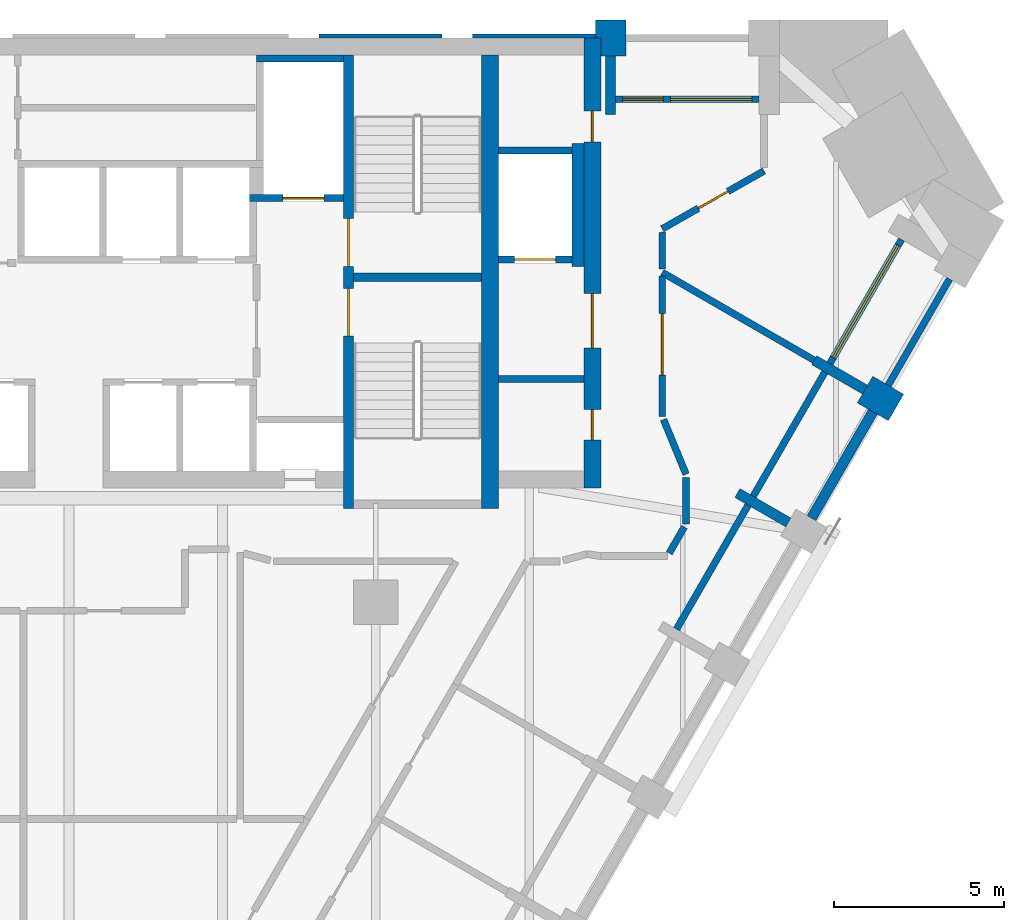
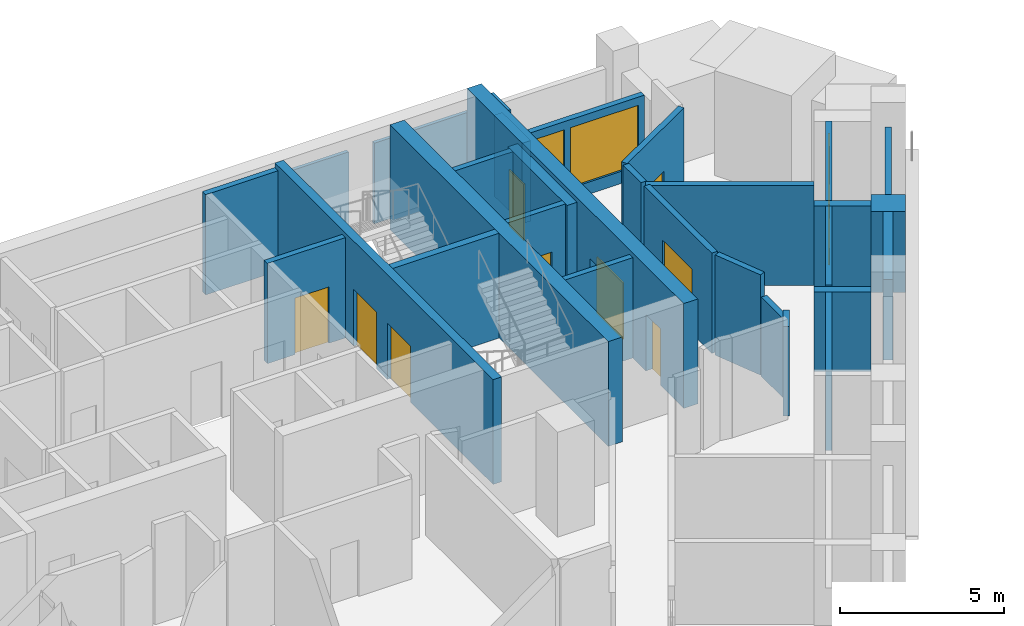
# One storey, part 7 of 9: 30 walls, 10 doors, 2 windows, 12 openings.
"""IFC4 building model written with IfcOpenShell, lengths in metres."""

from ifc_helpers import new_model, si_unit, direction, frame, frame_2d, origin, place, context, subcontext, project, spatial, polyline, rectangle, outline, extrude, material, layer, layer_set, type_object, element, fill, save


model = new_model("IFC4")

# Units and contexts
model_context = context("Model", 3, precision=1e-05, world=origin(), true_north=direction((0.0, 1.0)))
body_context = subcontext(model_context, "Body", "Model", "MODEL_VIEW")
ifc_project = project(units=[si_unit("LENGTHUNIT", "METRE"), si_unit("AREAUNIT", "SQUARE_METRE"), si_unit("VOLUMEUNIT", "CUBIC_METRE"), si_unit("PLANEANGLEUNIT", "RADIAN"), si_unit("MASSUNIT", "GRAM", prefix="KILO")], contexts=[model_context])

# Site, building, storey
site_placement = place(None, origin())
site = spatial("IfcSite", under=ifc_project, at=site_placement, CompositionType="ELEMENT")
building_placement = place(site_placement, origin())
building = spatial("IfcBuilding", under=site, at=building_placement, Name="Calabash Gate Tower", CompositionType="ELEMENT")
storey_placement = place(building_placement, frame((0.0, 0.0, 160.199951171875)))
storey = spatial("IfcBuildingStorey", under=building, at=storey_placement, Name="L37", CompositionType="ELEMENT", Elevation=160.199951171875)

# Walls
ifc_material_1 = material(Name="Terracotta brick masonry, exposed face", Category="masonry")
ifc_layer_1 = layer(ifc_material_1, 1.050048828125)
ifc_layer_set_1 = layer_set([ifc_layer_1], Name="Brick end wall 1050")
wall_type_1 = type_object("IfcWallType", Name="Brick end wall 1050", PredefinedType="SOLIDWALL", material=ifc_layer_set_1)
wall_1_placement = place(storey_placement, frame((24.2587890625, 8.2119140625, 0.0), z_axis=(0.0, 0.0, 1.0), x_axis=(-0.86592997719, 0.500165247297, 0.0)))
element("IfcWall", 1, at=wall_1_placement, inside=storey, type_object=wall_type_1, Name="Brick pier S10 SE4.7", PredefinedType="SOLIDWALL", context=body_context, shape_type="SweptSolid", body=[
    extrude(rectangle(XDim=1.050048828125, YDim=0.89990234375, at=frame_2d((0.52490234375, 0.0))), origin(), (0.0, 0.0, 1.0), 3.0),
])
wall_2_placement = place(storey_placement, origin())
element("IfcWall", 2, at=wall_2_placement, inside=storey, type_object=wall_type_1, Name="Brick pier S10 N6.1", PredefinedType="SOLIDWALL", context=body_context, shape_type="SweptSolid", body=[
    extrude(outline(polyline([(16.33740234375, 18.527587890625), (16.33740234375, 19.57763671875), (15.4375, 19.57763671875), (15.4375, 19.052490234375), (15.60009765625, 19.052490234375), (15.60009765625, 18.527587890625), (16.33740234375, 18.527587890625)])), origin(), (0.0, 0.0, 1.0), 3.0),
])
ifc_material_2 = material(Name="Terracotta brick masonry, exposed face", Category="masonry")
ifc_layer_2 = layer(ifc_material_2, 0.300048828125)
ifc_layer_set_2 = layer_set([ifc_layer_2], Name="Brick infill panel wall 300")
wall_type_2 = type_object("IfcWallType", Name="Brick infill panel wall 300", PredefinedType="SOLIDWALL", material=ifc_layer_set_2)
wall_3_placement = place(storey_placement, frame((21.779296875, 4.967041015625, 0.0), z_axis=(0.0, 0.0, 1.0), x_axis=(0.500012057535, 0.866018442252, 0.0)))
element("IfcWall", 3, at=wall_3_placement, inside=storey, type_object=wall_type_2, Name="Brick panel S10 SE4.7", PredefinedType="SOLIDWALL", context=body_context, shape_type="SweptSolid", body=[
    extrude(rectangle(XDim=3.60009765625, YDim=0.300048828125, at=frame_2d((1.800048828125, 0.0))), origin(), (0.0, 0.0, 1.0), 3.0),
])
ifc_material_3 = material(Name="Terracotta brick masonry, exposed face", Category="masonry")
ifc_layer_3 = layer(ifc_material_3, 0.300048828125)
ifc_layer_set_3 = layer_set([ifc_layer_3], Name="Brick loggia cheek wall 300")
wall_type_3 = type_object("IfcWallType", Name="Brick loggia cheek wall 300", PredefinedType="SOLIDWALL", material=ifc_layer_set_3)
wall_4_placement = place(storey_placement, frame((21.099609375, 4.83984375, 0.0), z_axis=(0.0, 0.0, 1.0), x_axis=(-0.866013532718, 0.500020560727, 0.0)))
element("IfcWall", 4, at=wall_4_placement, inside=storey, type_object=wall_type_3, Name="Loggia cheek S10 SE4.6", PredefinedType="SOLIDWALL", context=body_context, shape_type="SweptSolid", body=[
    extrude(rectangle(XDim=1.72509765625, YDim=0.300048828125, at=frame_2d((0.862548828125, 0.0))), origin(), (0.0, 0.0, 1.0), 2.9501953125),
])
wall_5_placement = place(storey_placement, frame((23.349609375, 8.737060546875, 0.0), z_axis=(0.0, 0.0, 1.0), x_axis=(-0.866013532718, 0.500020560727, 0.0)))
element("IfcWall", 5, at=wall_5_placement, inside=storey, type_object=wall_type_3, Name="Loggia cheek S10 SE4.7", PredefinedType="SOLIDWALL", context=body_context, shape_type="SweptSolid", body=[
    extrude(rectangle(XDim=1.72509765625, YDim=0.300048828125, at=frame_2d((0.862548828125, 0.0))), origin(), (0.0, 0.0, 1.0), 3.0),
])
wall_6_placement = place(storey_placement, origin())
element("IfcWall", 6, at=wall_6_placement, inside=storey, type_object=wall_type_3, Name="Loggia cheek S10 N6.1", PredefinedType="SOLIDWALL", context=body_context, shape_type="SweptSolid", body=[
    extrude(outline(polyline([(15.737548828125, 18.527587890625), (15.737548828125, 16.802490234375), (16.037353515625, 16.802490234375), (16.037353515625, 18.527587890625), (15.737548828125, 18.527587890625)])), origin(), (0.0, 0.0, 1.0), 3.0),
])
ifc_material_4 = material(Name="Gypsum board on steel studs, mineral wool", Category="steel")
ifc_layer_4 = layer(ifc_material_4, 0.199951171875)
ifc_layer_set_4 = layer_set([ifc_layer_4], Name="Core partition 200 gypsum board")
wall_type_4 = type_object("IfcWallType", Name="Core partition 200 gypsum board", PredefinedType="PARTITIONING", material=ifc_layer_set_4)
wall_7_placement = place(storey_placement, frame((12.60009765625, 9.052490234375, 0.0), z_axis=(0.0, 0.0, 1.0), x_axis=(1.0, 0.0, 0.0)))
element("IfcWall", 7, at=wall_7_placement, inside=storey, type_object=wall_type_4, Name="Core partition", PredefinedType="PARTITIONING", context=body_context, shape_type="SweptSolid", body=[
    extrude(rectangle(XDim=2.5, YDim=0.199951171875, at=frame_2d((1.25, 0.0))), origin(), (0.0, 0.0, 1.0), 3.72998046875),
])
ifc_material_5 = material(Name="Concrete C70/85", Category="concrete")
ifc_layer_5 = layer(ifc_material_5, 0.25)
ifc_layer_set_5 = layer_set([ifc_layer_5], Name="Core wall 250 Concrete C70/85")
wall_type_5 = type_object("IfcWallType", Name="Core wall 250 Concrete C70/85", PredefinedType="SHEAR", material=ifc_layer_set_5)
wall_8_placement = place(storey_placement, frame((8.35009765625, 12.027587890625, 0.0), z_axis=(0.0, 0.0, 1.0), x_axis=(1.0, 0.0, 0.0)))
element("IfcWall", 8, at=wall_8_placement, inside=storey, type_object=wall_type_5, Name="Core wall Z3-MIDE L37", PredefinedType="SHEAR", context=body_context, shape_type="SweptSolid", body=[
    extrude(rectangle(XDim=3.75, YDim=0.25, at=frame_2d((1.875, 0.0))), origin(), (0.0, 0.0, 1.0), 3.900146484375),
])

# Wall, openings, doors
ifc_material_6 = material(Name="Concrete C70/85", Category="concrete")
ifc_layer_6 = layer(ifc_material_6, 0.300048828125)
ifc_layer_set_6 = layer_set([ifc_layer_6], Name="Core wall 300 Concrete C70/85")
wall_type_6 = type_object("IfcWallType", Name="Core wall 300 Concrete C70/85", PredefinedType="SHEAR", material=ifc_layer_set_6)
wall_9_placement = place(storey_placement, frame((8.199951171875, 5.252685546875, 0.0), z_axis=(0.0, 0.0, 1.0), x_axis=(0.0, 1.0, 0.0)))
wall_9 = element("IfcWall", 9, at=wall_9_placement, inside=storey, type_object=wall_type_6, Name="Core wall Z3-PARTE L37", PredefinedType="SHEAR", context=body_context, shape_type="SweptSolid", body=[
    extrude(rectangle(XDim=13.2998046875, YDim=0.300048828125, at=frame_2d((6.64990234375, 0.0))), origin(), (0.0, 0.0, 1.0), 3.900146484375),
])
opening_1_placement = place(wall_9_placement, frame((7.10009765625, 0.0, 0.0)))
opening_1 = element("IfcOpeningElement", 10, at=opening_1_placement, cuts=wall_9, Name="Opening O2-017", PredefinedType="OPENING", context=body_context, shape_type="SweptSolid", body=[
    extrude(rectangle(XDim=1.39990234375, YDim=2.10009765625, at=frame_2d((0.699951171875, 1.050048828125))), frame((0.0, 0.159912109375, 0.0), z_axis=(0.0, -1.0, 0.0), x_axis=(1.0, 0.0, 0.0)), (0.0, 0.0, 1.0), 0.320068359375),
])
opening_2_placement = place(wall_9_placement, frame((5.050048828125, 0.0, 0.0)))
opening_2 = element("IfcOpeningElement", 11, at=opening_2_placement, cuts=wall_9, Name="Opening O2-018", PredefinedType="OPENING", context=body_context, shape_type="SweptSolid", body=[
    extrude(rectangle(XDim=1.39990234375, YDim=2.10009765625, at=frame_2d((0.699951171875, 1.050048828125))), frame((0.0, 0.159912109375, 0.0), z_axis=(0.0, -1.0, 0.0), x_axis=(1.0, 0.0, 0.0)), (0.0, 0.0, 1.0), 0.320068359375),
])
ifc_material_7 = material(Name="Steel fire door set with fire-resisting glazing", Category="steel")
door_type_1 = type_object("IfcDoorType", Name="Fire door D05 1400x2100 FD90", OperationType="NOTDEFINED", PredefinedType="DOOR", material=ifc_material_7)
door_1_placement = place(opening_1_placement, origin())
door_1 = element("IfcDoor", 12, at=door_1_placement, inside=storey, type_object=door_type_1, Name="Exit stair door ST3", OperationType="SINGLE_SWING_RIGHT", OverallHeight=2.10009765625, OverallWidth=1.39990234375, PredefinedType="DOOR", context=body_context, shape_type="SweptSolid", body=[
    extrude(rectangle(XDim=1.39990234375, YDim=2.10009765625, at=frame_2d((0.699951171875, 1.050048828125))), frame((0.0, 0.02490234375, 0.0), z_axis=(0.0, -1.0, 0.0), x_axis=(1.0, 0.0, 0.0)), (0.0, 0.0, 1.0), 0.050048828125),
])
fill(opening_1, door_1)
door_2_placement = place(opening_2_placement, origin())
door_2 = element("IfcDoor", 13, at=door_2_placement, inside=storey, type_object=door_type_1, Name="Exit stair door ST4", OperationType="SINGLE_SWING_LEFT", OverallHeight=2.10009765625, OverallWidth=1.39990234375, PredefinedType="DOOR", context=body_context, shape_type="SweptSolid", body=[
    extrude(rectangle(XDim=1.39990234375, YDim=2.10009765625, at=frame_2d((0.699951171875, 1.050048828125))), frame((0.0, 0.02490234375, 0.0), z_axis=(0.0, -1.0, 0.0), x_axis=(1.0, 0.0, 0.0)), (0.0, 0.0, 1.0), 0.050048828125),
])
fill(opening_2, door_2)

# Wall
ifc_material_8 = material(Name="Concrete C70/85", Category="concrete")
ifc_layer_7 = layer(ifc_material_8, 0.5)
ifc_layer_set_7 = layer_set([ifc_layer_7], Name="Core wall 500 Concrete C70/85")
wall_type_7 = type_object("IfcWallType", Name="Core wall 500 Concrete C70/85", PredefinedType="SHEAR", material=ifc_layer_set_7)
wall_10_placement = place(storey_placement, frame((12.35009765625, 5.252685546875, 0.0), z_axis=(0.0, 0.0, 1.0), x_axis=(0.0, 1.0, 0.0)))
element("IfcWall", 14, at=wall_10_placement, inside=storey, type_object=wall_type_7, Name="Core wall Z3-COLE L37", PredefinedType="SHEAR", context=body_context, shape_type="SweptSolid", body=[
    extrude(rectangle(XDim=13.2998046875, YDim=0.5, at=frame_2d((6.64990234375, 0.0))), origin(), (0.0, 0.0, 1.0), 3.900146484375),
])

# Wall, openings, doors
wall_11_placement = place(storey_placement, frame((15.35009765625, 5.8525390625, 0.0), z_axis=(0.0, 0.0, 1.0), x_axis=(0.0, 1.0, 0.0)))
wall_11 = element("IfcWall", 15, at=wall_11_placement, inside=storey, type_object=wall_type_7, Name="Core wall Z3-ENDE L37", PredefinedType="SHEAR", context=body_context, shape_type="SweptSolid", body=[
    extrude(rectangle(XDim=13.199951171875, YDim=0.5, at=frame_2d((6.60009765625, 0.0))), origin(), (0.0, 0.0, 1.0), 3.900146484375),
])
opening_3_placement = place(wall_11_placement, frame((4.10009765625, 0.0, 0.0)))
opening_3 = element("IfcOpeningElement", 16, at=opening_3_placement, cuts=wall_11, Name="Opening O2-003", PredefinedType="OPENING", context=body_context, shape_type="SweptSolid", body=[
    extrude(rectangle(XDim=1.60009765625, YDim=2.10009765625, at=frame_2d((0.800048828125, 1.050048828125))), frame((0.0, 0.260009765625, 0.0), z_axis=(0.0, -1.0, 0.0), x_axis=(1.0, 0.0, 0.0)), (0.0, 0.0, 1.0), 0.52001953125),
])
opening_4_placement = place(wall_11_placement, frame((1.39990234375, 0.0, 0.0)))
opening_4 = element("IfcOpeningElement", 17, at=opening_4_placement, cuts=wall_11, Name="Opening O2-001", PredefinedType="OPENING", context=body_context, shape_type="SweptSolid", body=[
    extrude(rectangle(XDim=0.89990234375, YDim=2.10009765625, at=frame_2d((0.449951171875, 1.050048828125))), frame((0.0, 0.260009765625, 0.0), z_axis=(0.0, -1.0, 0.0), x_axis=(1.0, 0.0, 0.0)), (0.0, 0.0, 1.0), 0.52001953125),
])
opening_5_placement = place(wall_11_placement, frame((10.14990234375, 0.0, 0.0)))
opening_5 = element("IfcOpeningElement", 18, at=opening_5_placement, cuts=wall_11, Name="Opening O2-002", PredefinedType="OPENING", context=body_context, shape_type="SweptSolid", body=[
    extrude(rectangle(XDim=0.89990234375, YDim=2.10009765625, at=frame_2d((0.449951171875, 1.050048828125))), frame((0.0, 0.260009765625, 0.0), z_axis=(0.0, -1.0, 0.0), x_axis=(1.0, 0.0, 0.0)), (0.0, 0.0, 1.0), 0.52001953125),
])
ifc_material_9 = material(Name="Steel fire door set with fire-resisting glazing", Category="steel")
door_type_2 = type_object("IfcDoorType", Name="Double fire door D08 1600x2100 FD60", OperationType="DOUBLE_DOOR_SINGLE_SWING", PredefinedType="DOOR", material=ifc_material_9)
door_3_placement = place(opening_3_placement, origin())
door_3 = element("IfcDoor", 19, at=door_3_placement, inside=storey, type_object=door_type_2, Name="Service Lift Lobby E door", OperationType="DOUBLE_DOOR_SINGLE_SWING", OverallHeight=2.10009765625, OverallWidth=1.60009765625, PredefinedType="DOOR", context=body_context, shape_type="SweptSolid", body=[
    extrude(rectangle(XDim=1.60009765625, YDim=2.10009765625, at=frame_2d((0.800048828125, 1.050048828125))), frame((0.0, 0.02490234375, 0.0), z_axis=(0.0, -1.0, 0.0), x_axis=(1.0, 0.0, 0.0)), (0.0, 0.0, 1.0), 0.050048828125),
])
fill(opening_3, door_3)
ifc_material_10 = material(Name="Steel fire door set with fire-resisting glazing", Category="steel")
door_type_3 = type_object("IfcDoorType", Name="Fire door D06 900x2100 FD60", OperationType="NOTDEFINED", PredefinedType="DOOR", material=ifc_material_10)
door_4_placement = place(opening_4_placement, origin())
door_4 = element("IfcDoor", 20, at=door_4_placement, inside=storey, type_object=door_type_3, Name="Print Room door", OperationType="SINGLE_SWING_RIGHT", OverallHeight=2.10009765625, OverallWidth=0.89990234375, PredefinedType="DOOR", context=body_context, shape_type="SweptSolid", body=[
    extrude(rectangle(XDim=0.89990234375, YDim=2.10009765625, at=frame_2d((0.449951171875, 1.050048828125))), frame((0.0, 0.02490234375, 0.0), z_axis=(0.0, -1.0, 0.0), x_axis=(1.0, 0.0, 0.0)), (0.0, 0.0, 1.0), 0.050048828125),
])
fill(opening_4, door_4)
door_5_placement = place(opening_5_placement, origin())
door_5 = element("IfcDoor", 21, at=door_5_placement, inside=storey, type_object=door_type_3, Name="Men's WC door", OperationType="SINGLE_SWING_LEFT", OverallHeight=2.10009765625, OverallWidth=0.89990234375, PredefinedType="DOOR", context=body_context, shape_type="SweptSolid", body=[
    extrude(rectangle(XDim=0.89990234375, YDim=2.10009765625, at=frame_2d((0.449951171875, 1.050048828125))), frame((0.0, 0.02490234375, 0.0), z_axis=(0.0, -1.0, 0.0), x_axis=(1.0, 0.0, 0.0)), (0.0, 0.0, 1.0), 0.050048828125),
])
fill(opening_5, door_5)

# Walls
ifc_material_11 = material(Name="Gypsum board on steel studs, mineral wool", Category="steel")
ifc_layer_8 = layer(ifc_material_11, 0.199951171875)
ifc_layer_set_8 = layer_set([ifc_layer_8], Name="Partition 200 gypsum board EI 60")
wall_type_8 = type_object("IfcWallType", Name="Partition 200 gypsum board EI 60", PredefinedType="PARTITIONING", material=ifc_layer_set_8)
wall_12_placement = place(storey_placement, frame((17.606201171875, 3.938720703125, 0.0), z_axis=(0.0, 0.0, 1.0), x_axis=(0.500071473339, 0.8659841347, 0.0)))
element("IfcWall", 22, at=wall_12_placement, inside=storey, type_object=wall_type_8, Name="Partition", PredefinedType="PARTITIONING", context=body_context, shape_type="SweptSolid", body=[
    extrude(rectangle(XDim=0.887939453125, YDim=0.199951171875, at=frame_2d((0.44384765625, 0.0))), origin(), (0.0, 0.0, 1.0), 3.33154296875),
])
wall_13_placement = place(storey_placement, frame((18.1005859375, 4.794189453125, 0.0), z_axis=(0.0, 0.0, 1.0), x_axis=(0.0, 1.0, 0.0)))
element("IfcWall", 23, at=wall_13_placement, inside=storey, type_object=wall_type_8, Name="Partition", PredefinedType="PARTITIONING", context=body_context, shape_type="SweptSolid", body=[
    extrude(rectangle(XDim=1.3583984375, YDim=0.199951171875, at=frame_2d((0.67919921875, 0.0))), origin(), (0.0, 0.0, 1.0), 2.9501953125),
])
wall_14_placement = place(storey_placement, frame((17.438720703125, 7.860107421875, 0.0), z_axis=(0.0, 0.0, 1.0), x_axis=(0.380742741509, -0.924681007044, 0.0)))
element("IfcWall", 24, at=wall_14_placement, inside=storey, type_object=wall_type_8, Name="Partition", PredefinedType="PARTITIONING", context=body_context, shape_type="SweptSolid", body=[
    extrude(rectangle(XDim=1.73828125, YDim=0.199951171875, at=frame_2d((0.869140625, 0.0))), origin(), (0.0, 0.0, 1.0), 3.72998046875),
])

# Wall, opening, door
wall_15_placement = place(storey_placement, frame((17.400390625, 7.95263671875, 0.0), z_axis=(0.0, 0.0, 1.0), x_axis=(0.000414986922, 0.999999913893, 0.0)))
wall_15 = element("IfcWall", 25, at=wall_15_placement, inside=storey, type_object=wall_type_8, Name="Partition", PredefinedType="PARTITIONING", context=body_context, shape_type="SweptSolid", body=[
    extrude(rectangle(XDim=4.1181640625, YDim=0.199951171875, at=frame_2d((2.05908203125, 0.0))), origin(), (0.0, 0.0, 1.0), 3.72998046875),
])
opening_6_placement = place(wall_15_placement, frame((1.20947265625, 0.0, 0.0)))
opening_6 = element("IfcOpeningElement", 26, at=opening_6_placement, cuts=wall_15, Name="Opening 36-38-013", PredefinedType="OPENING", context=body_context, shape_type="SweptSolid", body=[
    extrude(rectangle(XDim=1.800048828125, YDim=2.39990234375, at=frame_2d((0.89990234375, 1.199951171875))), frame((0.0, 0.10986328125, 0.0), z_axis=(0.0, -1.0, 0.0), x_axis=(1.0, 0.0, 0.0)), (0.0, 0.0, 1.0), 0.219970703125),
])
ifc_material_12 = material(Name="Steel fire door set with fire-resisting glazing", Category="steel")
door_type_4 = type_object("IfcDoorType", Name="TD1 Tenancy entrance double door 1800x2400", OperationType="NOTDEFINED", PredefinedType="DOOR", material=ifc_material_12)
door_6_placement = place(opening_6_placement, origin())
door_6 = element("IfcDoor", 27, at=door_6_placement, inside=storey, type_object=door_type_4, Name="Tenancy entrance double door", OperationType="DOUBLE_DOOR_SINGLE_SWING", OverallHeight=2.39990234375, OverallWidth=1.800048828125, PredefinedType="DOOR", context=body_context, shape_type="SweptSolid", body=[
    extrude(rectangle(XDim=1.800048828125, YDim=2.39990234375, at=frame_2d((0.89990234375, 1.199951171875))), frame((0.0, 0.02490234375, 0.0), z_axis=(0.0, -1.0, 0.0), x_axis=(1.0, 0.0, 0.0)), (0.0, 0.0, 1.0), 0.050048828125),
])
fill(opening_6, door_6)

# Walls
wall_16_placement = place(storey_placement, frame((17.400634765625, 12.173583984375, 0.0), z_axis=(0.0, 0.0, 1.0), x_axis=(0.865871011045, -0.500267320772, 0.0)))
element("IfcWall", 28, at=wall_16_placement, inside=storey, type_object=wall_type_8, Name="Partition", PredefinedType="PARTITIONING", context=body_context, shape_type="SweptSolid", body=[
    extrude(rectangle(XDim=5.145263671875, YDim=0.199951171875, at=frame_2d((2.57275390625, 0.0))), origin(), (0.0, 0.0, 1.0), 3.72998046875),
])
wall_17_placement = place(storey_placement, frame((17.400634765625, 13.352294921875, 0.0), z_axis=(0.0, 0.0, 1.0), x_axis=(0.001128922288, -0.999999362767, 0.0)))
element("IfcWall", 29, at=wall_17_placement, inside=storey, type_object=wall_type_8, Name="Partition", PredefinedType="PARTITIONING", context=body_context, shape_type="SweptSolid", body=[
    extrude(rectangle(XDim=1.081298828125, YDim=0.199951171875, at=frame_2d((0.54052734375, 0.0))), origin(), (0.0, 0.0, 1.0), 3.72998046875),
])

# Wall, opening, door
wall_18_placement = place(storey_placement, frame((17.400390625, 13.452392578125, 0.0), z_axis=(0.0, 0.0, 1.0), x_axis=(0.86915962074, 0.494531650833, 0.0)))
wall_18 = element("IfcWall", 30, at=wall_18_placement, inside=storey, type_object=wall_type_8, Name="Partition", PredefinedType="PARTITIONING", context=body_context, shape_type="SweptSolid", body=[
    extrude(rectangle(XDim=3.43701171875, YDim=0.199951171875, at=frame_2d((1.718505859375, 0.0))), origin(), (0.0, 0.0, 1.0), 3.72998046875),
])
opening_7_placement = place(wall_18_placement, frame((1.218505859375, 0.0, 0.0)))
opening_7 = element("IfcOpeningElement", 31, at=opening_7_placement, cuts=wall_18, Name="Opening 36-38-014", PredefinedType="OPENING", context=body_context, shape_type="SweptSolid", body=[
    extrude(rectangle(XDim=1.0, YDim=2.10009765625, at=frame_2d((0.5, 1.050048828125))), frame((0.0, 0.10986328125, 0.0), z_axis=(0.0, -1.0, 0.0), x_axis=(1.0, 0.0, 0.0)), (0.0, 0.0, 1.0), 0.219970703125),
])
ifc_material_13 = material(Name="Steel fire door set with fire-resisting glazing", Category="steel")
door_type_5 = type_object("IfcDoorType", Name="LD2 Meeting room door 1000x2100", OperationType="NOTDEFINED", PredefinedType="DOOR", material=ifc_material_13)
door_7_placement = place(opening_7_placement, origin())
door_7 = element("IfcDoor", 32, at=door_7_placement, inside=storey, type_object=door_type_5, Name="Meeting room door", OperationType="SINGLE_SWING_LEFT", OverallHeight=2.10009765625, OverallWidth=1.0, PredefinedType="DOOR", context=body_context, shape_type="SweptSolid", body=[
    extrude(rectangle(XDim=1.0, YDim=2.10009765625, at=frame_2d((0.5, 1.050048828125))), frame((0.0, 0.02490234375, 0.0), z_axis=(0.0, -1.0, 0.0), x_axis=(1.0, 0.0, 0.0)), (0.0, 0.0, 1.0), 0.050048828125),
])
fill(opening_7, door_7)

# Wall
ifc_material_14 = material(Name="Concrete C40/50", Category="concrete")
ifc_layer_9 = layer(ifc_material_14, 0.199951171875)
ifc_layer_set_9 = layer_set([ifc_layer_9], Name="Shaft wall 200 Concrete C40/50")
wall_type_9 = type_object("IfcWallType", Name="Shaft wall 200 Concrete C40/50", PredefinedType="SOLIDWALL", material=ifc_layer_set_9)
wall_19_placement = place(storey_placement, frame((14.925048828125, 12.3525390625, 0.0), z_axis=(0.0, 0.0, 1.0), x_axis=(0.0, 1.0, 0.0)))
element("IfcWall", 33, at=wall_19_placement, inside=storey, type_object=wall_type_9, Name="Shaft wall", PredefinedType="SOLIDWALL", context=body_context, shape_type="SweptSolid", body=[
    extrude(rectangle(XDim=3.60009765625, YDim=0.35009765625, at=frame_2d((1.800048828125, 0.0))), origin(), (0.0, 0.0, 1.0), 3.72998046875),
])

# Wall, opening, door
wall_20_placement = place(storey_placement, frame((12.60009765625, 12.552490234375, 0.0), z_axis=(0.0, 0.0, 1.0), x_axis=(1.0, 0.0, 0.0)))
wall_20 = element("IfcWall", 34, at=wall_20_placement, inside=storey, type_object=wall_type_9, Name="Shaft wall", PredefinedType="SOLIDWALL", context=body_context, shape_type="SweptSolid", body=[
    extrude(rectangle(XDim=2.14990234375, YDim=0.199951171875, at=frame_2d((1.074951171875, 0.0))), origin(), (0.0, 0.0, 1.0), 3.72998046875),
])
opening_8_placement = place(wall_20_placement, frame((0.47509765625, 0.0, 0.0)))
opening_8 = element("IfcOpeningElement", 35, at=opening_8_placement, cuts=wall_20, Name="Opening LD-SL1", PredefinedType="OPENING", context=body_context, shape_type="SweptSolid", body=[
    extrude(rectangle(XDim=1.199951171875, YDim=2.10009765625, at=frame_2d((0.60009765625, 1.050048828125))), frame((0.0, 0.10986328125, 0.0), z_axis=(0.0, -1.0, 0.0), x_axis=(1.0, 0.0, 0.0)), (0.0, 0.0, 1.0), 0.219970703125),
])
ifc_material_15 = material(Name="Stainless steel sliding door leaves", Category="steel")
door_type_6 = type_object("IfcDoorType", Name="Lift landing door LS3 1200x2100 FD90", OperationType="DOUBLE_DOOR_SLIDING", PredefinedType="DOOR", material=ifc_material_15)
door_8_placement = place(opening_8_placement, origin())
door_8 = element("IfcDoor", 36, at=door_8_placement, inside=storey, type_object=door_type_6, Name="Lift landing door SL1", OperationType="DOUBLE_DOOR_SLIDING", OverallHeight=2.10009765625, OverallWidth=1.199951171875, PredefinedType="DOOR", context=body_context, shape_type="SweptSolid", body=[
    extrude(rectangle(XDim=1.199951171875, YDim=2.10009765625, at=frame_2d((0.60009765625, 1.050048828125))), frame((0.0, 0.02490234375, 0.0), z_axis=(0.0, -1.0, 0.0), x_axis=(1.0, 0.0, 0.0)), (0.0, 0.0, 1.0), 0.050048828125),
])
fill(opening_8, door_8)

wall_21_placement = place(storey_placement, frame((5.300048828125, 14.3525390625, 0.0), z_axis=(0.0, 0.0, 1.0), x_axis=(1.0, 0.0, 0.0)))
wall_21 = element("IfcWall", 37, at=wall_21_placement, inside=storey, type_object=wall_type_9, Name="Shaft wall", PredefinedType="SOLIDWALL", context=body_context, shape_type="SweptSolid", body=[
    extrude(rectangle(XDim=2.75, YDim=0.199951171875, at=frame_2d((1.375, 0.0))), origin(), (0.0, 0.0, 1.0), 3.72998046875),
])
opening_9_placement = place(wall_21_placement, frame((0.97509765625, 0.0, 0.0)))
opening_9 = element("IfcOpeningElement", 38, at=opening_9_placement, cuts=wall_21, Name="Opening LD-FF2", PredefinedType="OPENING", context=body_context, shape_type="SweptSolid", body=[
    extrude(rectangle(XDim=1.199951171875, YDim=2.10009765625, at=frame_2d((0.60009765625, 1.050048828125))), frame((0.0, 0.10986328125, 0.0), z_axis=(0.0, -1.0, 0.0), x_axis=(1.0, 0.0, 0.0)), (0.0, 0.0, 1.0), 0.219970703125),
])
door_9_placement = place(opening_9_placement, origin())
door_9 = element("IfcDoor", 39, at=door_9_placement, inside=storey, type_object=door_type_6, Name="Lift landing door FF2", OperationType="DOUBLE_DOOR_SLIDING", OverallHeight=2.10009765625, OverallWidth=1.199951171875, PredefinedType="DOOR", context=body_context, shape_type="SweptSolid", body=[
    extrude(rectangle(XDim=1.199951171875, YDim=2.10009765625, at=frame_2d((0.60009765625, 1.050048828125))), frame((0.0, 0.02490234375, 0.0), z_axis=(0.0, -1.0, 0.0), x_axis=(1.0, 0.0, 0.0)), (0.0, 0.0, 1.0), 0.050048828125),
])
fill(opening_9, door_9)

# Walls
wall_22_placement = place(storey_placement, frame((12.60009765625, 15.752685546875, 0.0), z_axis=(0.0, 0.0, 1.0), x_axis=(1.0, 0.0, 0.0)))
element("IfcWall", 40, at=wall_22_placement, inside=storey, type_object=wall_type_9, Name="Shaft wall", PredefinedType="SOLIDWALL", context=body_context, shape_type="SweptSolid", body=[
    extrude(rectangle(XDim=2.14990234375, YDim=0.199951171875, at=frame_2d((1.074951171875, 0.0))), origin(), (0.0, 0.0, 1.0), 3.72998046875),
])
wall_23_placement = place(storey_placement, frame((5.5, 18.45263671875, 0.0), z_axis=(0.0, 0.0, 1.0), x_axis=(1.0, 0.0, 0.0)))
element("IfcWall", 41, at=wall_23_placement, inside=storey, type_object=wall_type_9, Name="Shaft wall", PredefinedType="SOLIDWALL", context=body_context, shape_type="SweptSolid", body=[
    extrude(rectangle(XDim=2.550048828125, YDim=0.199951171875, at=frame_2d((1.27490234375, 0.0))), origin(), (0.0, 0.0, 1.0), 3.72998046875),
])
ifc_material_16 = material(Name="Terracotta brick masonry, perforated", Category="masonry")
ifc_layer_10 = layer(ifc_material_16, 0.1201171875)
ifc_layer_set_10 = layer_set([ifc_layer_10], Name="Terracotta jaali cladding B 120")
wall_type_10 = type_object("IfcWallType", Name="Terracotta jaali cladding B 120", PredefinedType="SOLIDWALL", material=ifc_layer_set_10)
wall_24_placement = place(storey_placement, origin())
element("IfcWall", 42, at=wall_24_placement, inside=storey, type_object=wall_type_10, Name="Jaali cladding S10 N6.3", PredefinedType="SOLIDWALL", context=body_context, shape_type="SweptSolid", body=[
    extrude(outline(polyline([(7.33740234375, 19.172607421875), (7.33740234375, 19.052490234375), (10.9375, 19.052490234375), (10.9375, 19.172607421875), (7.33740234375, 19.172607421875)])), origin(), (0.0, 0.0, 1.0), 3.0),
])
ifc_material_17 = material(Name="Terracotta brick masonry, perforated", Category="masonry")
ifc_layer_11 = layer(ifc_material_17, 0.199951171875)
ifc_layer_set_11 = layer_set([ifc_layer_11], Name="Terracotta jaali screen B")
wall_type_11 = type_object("IfcWallType", Name="Terracotta jaali screen B", PredefinedType="SOLIDWALL", material=ifc_layer_set_11)
wall_25_placement = place(storey_placement, frame((24.029296875, 8.8642578125, 0.0), z_axis=(0.0, 0.0, 1.0), x_axis=(0.500012057535, 0.866018442252, 0.0)))
element("IfcWall", 43, at=wall_25_placement, inside=storey, type_object=wall_type_11, Name="SCREEN B S10 SE4.8", PredefinedType="SOLIDWALL", context=body_context, shape_type="SweptSolid", body=[
    extrude(rectangle(XDim=3.60009765625, YDim=0.199951171875, at=frame_2d((1.800048828125, 0.0))), origin(), (0.0, 0.0, 1.0), 3.0),
])
ifc_material_18 = material(Name="Terracotta louvre blades in an aluminium frame", Category="masonry")
ifc_layer_12 = layer(ifc_material_18, 0.1201171875)
ifc_layer_set_12 = layer_set([ifc_layer_12], Name="Terracotta vent louvre cladding 120")
wall_type_12 = type_object("IfcWallType", Name="Terracotta vent louvre cladding 120", PredefinedType="ELEMENTEDWALL", material=ifc_layer_set_12)
wall_26_placement = place(storey_placement, origin())
element("IfcWall", 44, at=wall_26_placement, inside=storey, type_object=wall_type_12, Name="Vent louvre cladding S10 N6.2", PredefinedType="ELEMENTEDWALL", context=body_context, shape_type="SweptSolid", body=[
    extrude(outline(polyline([(11.83740234375, 19.172607421875), (11.83740234375, 19.052490234375), (15.43701171875, 19.052490234375), (15.43701171875, 19.172607421875), (11.83740234375, 19.172607421875)])), origin(), (0.0, 0.0, 1.0), 3.0),
])
ifc_material_19 = material(Name="Aluminium framed window wall with insulated spandrel", Category="aluminium")
ifc_layer_13 = layer(ifc_material_19, 0.199951171875)
ifc_layer_set_13 = layer_set([ifc_layer_13], Name="Window wall 200")
wall_type_13 = type_object("IfcWallType", Name="Window wall 200", PredefinedType="ELEMENTEDWALL", material=ifc_layer_set_13)
wall_27_placement = place(storey_placement, frame((17.8203125, 1.710205078125, 0.0), z_axis=(0.0, 0.0, 1.0), x_axis=(0.500027713859, 0.866009402589, 0.0)))
element("IfcWall", 45, at=wall_27_placement, inside=storey, type_object=wall_type_13, Name="Window wall S10 SE4.6", PredefinedType="ELEMENTEDWALL", context=body_context, shape_type="SweptSolid", body=[
    extrude(rectangle(XDim=4.199951171875, YDim=0.199951171875, at=frame_2d((2.10009765625, 0.0))), origin(), (0.0, 0.0, 1.0), 2.9501953125),
])
wall_28_placement = place(storey_placement, frame((20.0703125, 5.607177734375, 0.0), z_axis=(0.0, 0.0, 1.0), x_axis=(0.500002543286, 0.866023935413, 0.0)))
element("IfcWall", 46, at=wall_28_placement, inside=storey, type_object=wall_type_13, Name="Window wall S10 SE4.7", PredefinedType="ELEMENTEDWALL", context=body_context, shape_type="SweptSolid", body=[
    extrude(rectangle(XDim=4.2001953125, YDim=0.199951171875, at=frame_2d((2.10009765625, 0.0))), origin(), (0.0, 0.0, 1.0), 3.0),
])

# Wall, opening, window
wall_29_placement = place(storey_placement, frame((22.3203125, 9.50439453125, 0.0), z_axis=(0.0, 0.0, 1.0), x_axis=(0.500027713859, 0.866009402589, 0.0)))
wall_29 = element("IfcWall", 47, at=wall_29_placement, inside=storey, type_object=wall_type_13, Name="Window wall S10 SE4.8", PredefinedType="ELEMENTEDWALL", context=body_context, shape_type="SweptSolid", body=[
    extrude(rectangle(XDim=4.199951171875, YDim=0.199951171875, at=frame_2d((2.10009765625, 0.0))), origin(), (0.0, 0.0, 1.0), 3.0),
])
opening_10_placement = place(wall_29_placement, frame((0.199951171875, 0.0, 0.449951171875)))
opening_10 = element("IfcOpeningElement", 48, at=opening_10_placement, cuts=wall_29, Name="Opening OW2", PredefinedType="OPENING", context=body_context, shape_type="SweptSolid", body=[
    extrude(rectangle(XDim=3.800048828125, YDim=2.25, at=frame_2d((1.89990234375, 1.125))), frame((0.0, 0.10986328125, 0.0), z_axis=(0.0, -1.0, 0.0), x_axis=(1.0, 0.0, 0.0)), (0.0, 0.0, 1.0), 0.219970703125),
])
ifc_material_20 = material(Name="Anodised aluminium frame, bronze finish, impact-rated laminated clear glazing", Category="aluminium")
window_type_1 = type_object("IfcWindowType", Name="Window OW2 3800x2250", PartitioningType="TRIPLE_PANEL_VERTICAL", PredefinedType="WINDOW", material=ifc_material_20)
window_1_placement = place(opening_10_placement, origin())
window_1 = element("IfcWindow", 49, at=window_1_placement, inside=storey, type_object=window_type_1, Name="Window OW2 S10 SE4.8", OverallHeight=2.25, OverallWidth=3.800048828125, PartitioningType="SINGLE_PANEL", PredefinedType="WINDOW", context=body_context, shape_type="SweptSolid", body=[
    extrude(rectangle(XDim=3.800048828125, YDim=2.25, at=frame_2d((1.89990234375, 1.125))), frame((0.0, 0.030029296875, 0.0), z_axis=(0.0, -1.0, 0.0), x_axis=(1.0, 0.0, 0.0)), (0.0, 0.0, 1.0), 0.06005859375),
])
fill(opening_10, window_1)

# Wall, openings, door, window
wall_30_placement = place(storey_placement, frame((20.237548828125, 17.25244140625, 0.0), z_axis=(0.0, 0.0, 1.0), x_axis=(-1.0, 0.0, 0.0)))
wall_30 = element("IfcWall", 50, at=wall_30_placement, inside=storey, type_object=wall_type_13, Name="Window wall S10 N6.1", PredefinedType="ELEMENTEDWALL", context=body_context, shape_type="SweptSolid", body=[
    extrude(rectangle(XDim=4.2001953125, YDim=0.199951171875, at=frame_2d((2.10009765625, 0.0))), origin(), (0.0, 0.0, 1.0), 3.0),
])
opening_11_placement = place(wall_30_placement, frame((0.199951171875, 0.0, 0.449951171875)))
opening_11 = element("IfcOpeningElement", 51, at=opening_11_placement, cuts=wall_30, Name="Opening OW1", PredefinedType="OPENING", context=body_context, shape_type="SweptSolid", body=[
    extrude(rectangle(XDim=2.39990234375, YDim=2.25, at=frame_2d((1.199951171875, 1.125))), frame((0.0, 0.10986328125, 0.0), z_axis=(0.0, -1.0, 0.0), x_axis=(1.0, 0.0, 0.0)), (0.0, 0.0, 1.0), 0.219970703125),
])
opening_12_placement = place(wall_30_placement, frame((2.800048828125, 0.0, 0.0)))
opening_12 = element("IfcOpeningElement", 52, at=opening_12_placement, cuts=wall_30, Name="Opening O2-019", PredefinedType="OPENING", context=body_context, shape_type="SweptSolid", body=[
    extrude(rectangle(XDim=1.199951171875, YDim=2.699951171875, at=frame_2d((0.60009765625, 1.35009765625))), frame((0.0, 0.10986328125, 0.0), z_axis=(0.0, -1.0, 0.0), x_axis=(1.0, 0.0, 0.0)), (0.0, 0.0, 1.0), 0.219970703125),
])
ifc_material_21 = material(Name="Anodised aluminium frame, bronze finish, impact-rated laminated clear glazing", Category="aluminium")
door_type_7 = type_object("IfcDoorType", Name="Loggia door DO1 1200x2700", OperationType="SLIDING_TO_LEFT", PredefinedType="DOOR", material=ifc_material_21)
door_10_placement = place(opening_12_placement, origin())
door_10 = element("IfcDoor", 53, at=door_10_placement, inside=storey, type_object=door_type_7, Name="Loggia door S10 N6.1", OperationType="SINGLE_SWING_LEFT", OverallHeight=2.699951171875, OverallWidth=1.199951171875, PredefinedType="DOOR", context=body_context, shape_type="SweptSolid", body=[
    extrude(rectangle(XDim=1.199951171875, YDim=2.699951171875, at=frame_2d((0.60009765625, 1.35009765625))), frame((0.0, 0.02490234375, 0.0), z_axis=(0.0, -1.0, 0.0), x_axis=(1.0, 0.0, 0.0)), (0.0, 0.0, 1.0), 0.050048828125),
])
fill(opening_12, door_10)
ifc_material_22 = material(Name="Anodised aluminium frame, bronze finish, impact-rated laminated clear glazing", Category="aluminium")
window_type_2 = type_object("IfcWindowType", Name="Window OW1 2400x2250", PartitioningType="DOUBLE_PANEL_VERTICAL", PredefinedType="WINDOW", material=ifc_material_22)
window_2_placement = place(opening_11_placement, origin())
window_2 = element("IfcWindow", 54, at=window_2_placement, inside=storey, type_object=window_type_2, Name="Window OW1 S10 N6.1", OverallHeight=2.25, OverallWidth=2.39990234375, PartitioningType="SINGLE_PANEL", PredefinedType="WINDOW", context=body_context, shape_type="SweptSolid", body=[
    extrude(rectangle(XDim=2.39990234375, YDim=2.25, at=frame_2d((1.199951171875, 1.125))), frame((0.0, 0.030029296875, 0.0), z_axis=(0.0, -1.0, 0.0), x_axis=(1.0, 0.0, 0.0)), (0.0, 0.0, 1.0), 0.06005859375),
])
fill(opening_11, window_2)

save(model, "model.ifc")
